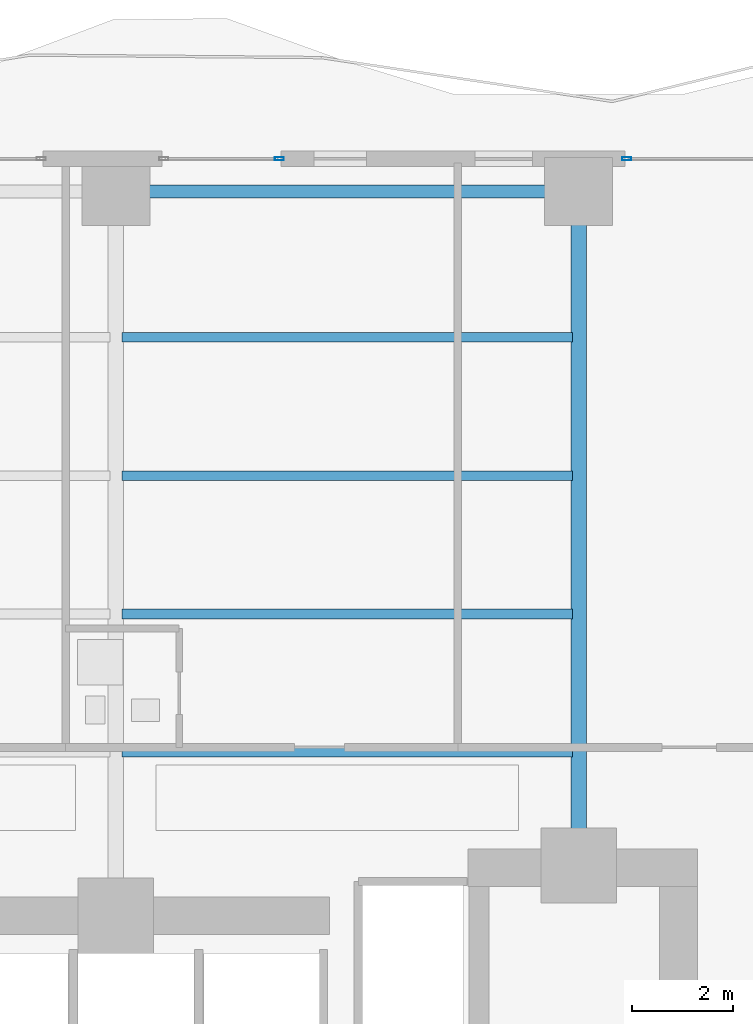
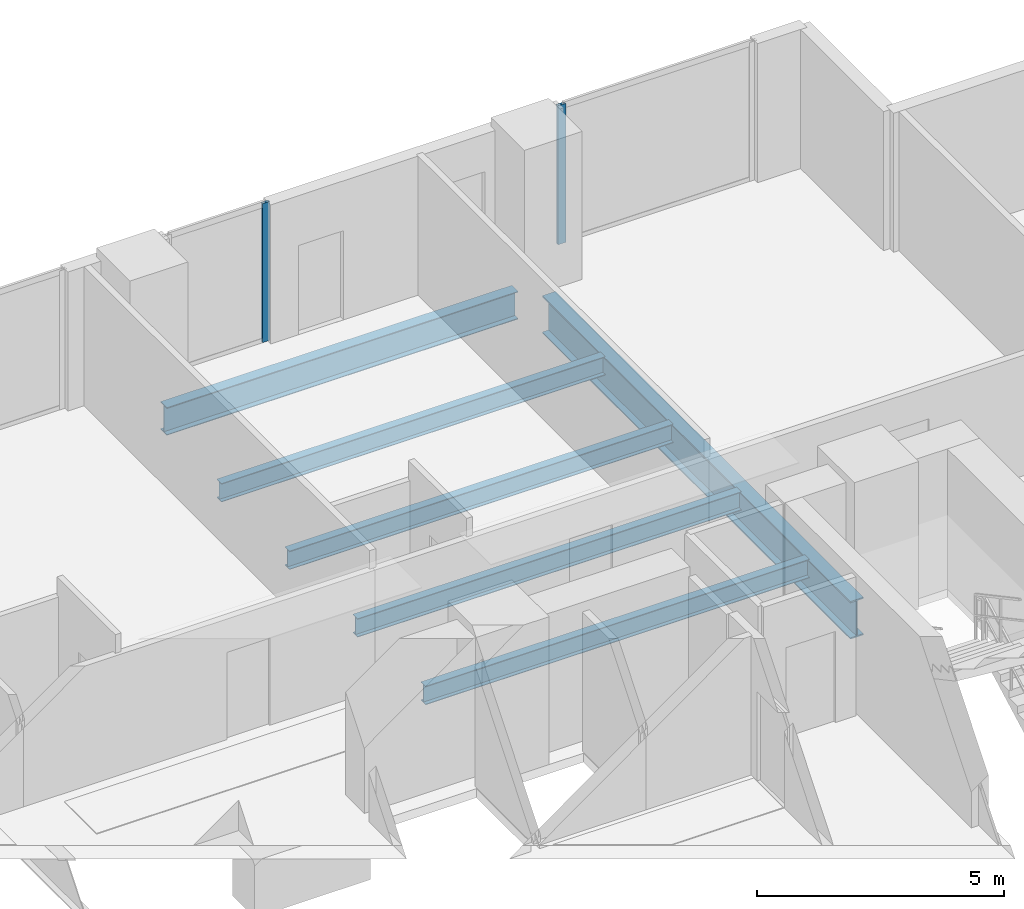
# One storey, part 17 of 27: 6 beams, 2 members, 2 elements without a shape of their own.
"""IFC4 building model written with IfcOpenShell, lengths in metres."""

from ifc_helpers import new_model, si_unit, direction, frame, origin, origin_2d, place, context, subcontext, project, spatial, hollow_rectangle, i_section, extrude, material, layer, layer_set, material_profile, profile_set, type_object, element, aggregate, save


model = new_model("IFC4")

# Units and contexts
model_context = context("Model", 3, precision=1e-05, world=origin(), true_north=direction((0.0, 1.0)))
body_context = subcontext(model_context, "Body", "Model", "MODEL_VIEW")
ifc_project = project(units=[si_unit("LENGTHUNIT", "METRE"), si_unit("AREAUNIT", "SQUARE_METRE"), si_unit("VOLUMEUNIT", "CUBIC_METRE"), si_unit("PLANEANGLEUNIT", "RADIAN"), si_unit("MASSUNIT", "GRAM", prefix="KILO")], contexts=[model_context])

# Site, building, storey
site_placement = place(None, origin())
site = spatial("IfcSite", under=ifc_project, at=site_placement, CompositionType="ELEMENT")
building_placement = place(site_placement, origin())
building = spatial("IfcBuilding", under=site, at=building_placement, Name="Zuhayl Quay Hotel", CompositionType="ELEMENT")
storey_placement = place(building_placement, frame((0.0, 0.0, 124.85009765625)))
storey = spatial("IfcBuildingStorey", under=building, at=storey_placement, Name="L31", CompositionType="ELEMENT", Elevation=124.85009765625)

# Beams
ifc_material_1 = material(Name="Steel ASTM A992 Grade 50", Category="steel")
ifc_material_profile_1 = material_profile(ifc_material_1, i_section(OverallWidth=0.25390625, OverallDepth=0.68310546875, WebThickness=0.012451171875, FlangeThickness=0.018798828125, at=origin_2d()), Name="W27X94")
ifc_profile_set_1 = profile_set([ifc_material_profile_1], Name="Steel ASTM A992 Grade 50")
beam_type_1 = type_object("IfcBeamType", Name="BM_B2_W27X94", PredefinedType="BEAM", material=ifc_profile_set_1)
beam_1_placement = place(storey_placement, frame((13.300048828125, 27.75, -0.5615234375), z_axis=(-1.0, 0.0, 0.0), x_axis=(0.0, -1.0, 0.0)))
element("IfcBeam", 1, at=beam_1_placement, inside=storey, type_object=beam_type_1, Name="L31 Floor Beam RG_L31_07", PredefinedType="BEAM", context=body_context, shape_type="SweptSolid", body=[
    extrude(i_section(OverallWidth=0.25390625, OverallDepth=0.68310546875, WebThickness=0.012451171875, FlangeThickness=0.018798828125, at=origin_2d()), origin(), (0.0, 0.0, 1.0), 8.199951171875),
])
ifc_material_profile_2 = material_profile(ifc_material_1, i_section(OverallWidth=0.18994140625, OverallDepth=0.45703125, WebThickness=0.009033203125, FlangeThickness=0.014404296875, at=origin_2d()), Name="W18X50")
ifc_profile_set_2 = profile_set([ifc_material_profile_2], Name="Steel ASTM A992 Grade 50")
beam_type_2 = type_object("IfcBeamType", Name="BM_J2_W18X50", PredefinedType="JOIST", material=ifc_profile_set_2)
for number, where, z_axis, x_axis, name in (
    (2, (4.718994140625, 16.60009765625, -0.448486328125), (1.0, 0.0, 0.0), (0.0, 1.0, 0.0), "L31 Floor Beam FJ_L31_1_3"),
    (3, (4.718994140625, 19.35009765625, -0.448486328125), (1.0, 0.0, 0.0), (0.0, 1.0, 0.0), "L31 Floor Beam FJ_L31_2_3"),
    (4, (4.718994140625, 22.10009765625, -0.448486328125), (1.0, 0.0, 0.0), (0.0, 1.0, 0.0), "L31 Floor Beam FJ_L31_3_3"),
    (5, (4.718994140625, 24.85009765625, -0.448486328125), (1.0, 0.0, 0.0), (0.0, 1.0, 0.0), "L31 Floor Beam FJ_L31_4_3"),
):
    element("IfcBeam", number, at=place(storey_placement, frame(where, z_axis=z_axis, x_axis=x_axis)), inside=storey, type_object=beam_type_2, Name=name, PredefinedType="JOIST", context=body_context, shape_type="SweptSolid", body=[
        extrude(i_section(OverallWidth=0.18994140625, OverallDepth=0.45703125, WebThickness=0.009033203125, FlangeThickness=0.014404296875, at=origin_2d()), origin(), (0.0, 0.0, 1.0), 8.9619140625),
    ])
ifc_material_profile_3 = material_profile(ifc_material_1, i_section(OverallWidth=0.306884765625, OverallDepth=0.927001953125, WebThickness=0.019287109375, FlangeThickness=0.031982421875, at=origin_2d()), Name="W36X194")
ifc_profile_set_3 = profile_set([ifc_material_profile_3], Name="Steel ASTM A992 Grade 50")
beam_type_3 = type_object("IfcBeamType", Name="BM_PG2_W36X194", PredefinedType="BEAM", material=ifc_profile_set_3)
beam_2_placement = place(storey_placement, frame((13.800048828125, 14.800048828125, -0.68359375), z_axis=(0.0, 1.0, 0.0), x_axis=(-1.0, 0.0, 0.0)))
element("IfcBeam", 6, at=beam_2_placement, inside=storey, type_object=beam_type_3, Name="L31 Floor Beam FG_N_L31_4", PredefinedType="BEAM", context=body_context, shape_type="SweptSolid", body=[
    extrude(i_section(OverallWidth=0.306884765625, OverallDepth=0.927001953125, WebThickness=0.019287109375, FlangeThickness=0.031982421875, at=origin_2d()), origin(), (0.0, 0.0, 1.0), 12.449951171875),
])

# Curtain wall, member
ifc_material_2 = material(Name="Anodised Aluminium 6063-T6", Category="aluminium")
ifc_layer = layer(ifc_material_2, 0.179931640625, Name="Anodised Aluminium 6063-T6", Category="aluminium")
ifc_layer_set = layer_set([ifc_layer], Name="Anodised Aluminium 6063-T6")
curtain_wall_type = type_object("IfcCurtainWallType", Name="CW_SYS_Z2", PredefinedType="USERDEFINED", material=ifc_layer_set)
curtain_wall_1_placement = place(storey_placement, origin())
curtain_wall_1 = element("IfcCurtainWall", 7, at=curtain_wall_1_placement, inside=storey, type_object=curtain_wall_type, Name="L31 Curtain Wall ENV_L31_N_CW3", ObjectType="UNITISED CURTAIN WALL", PredefinedType="USERDEFINED")
ifc_material_3 = material(Name="Black-anodised aluminium 6063-T6", Category="aluminium")
ifc_material_profile_4 = material_profile(ifc_material_3, hollow_rectangle(XDim=0.06494140625, YDim=0.179931640625, WallThickness=0.00341796875, at=origin_2d()), Name="ALU180X65")
ifc_profile_set_4 = profile_set([ifc_material_profile_4], Name="Black-anodised aluminium 6063-T6")
member_type = type_object("IfcMemberType", Name="MB_CW_MUL_180", PredefinedType="MULLION", material=ifc_profile_set_4)
member_1_placement = place(storey_placement, frame((7.8525390625, 28.39990234375, 0.0), z_axis=(0.0, 0.0, 1.0), x_axis=(0.0, 1.0, 0.0)))
member_1 = element("IfcMember", 8, at=member_1_placement, type_object=member_type, Name="CW-Z2 mullion 2", PredefinedType="MULLION", context=body_context, shape_type="SweptSolid", body=[
    extrude(hollow_rectangle(XDim=0.06494140625, YDim=0.179931640625, WallThickness=0.00341796875, at=origin_2d()), origin(), (0.0, 0.0, 1.0), 3.429931640625),
])
aggregate(curtain_wall_1, [member_1])

curtain_wall_2_placement = place(storey_placement, origin())
curtain_wall_2 = element("IfcCurtainWall", 9, at=curtain_wall_2_placement, inside=storey, type_object=curtain_wall_type, Name="L31 Curtain Wall ENV_L31_N_CW4", ObjectType="UNITISED CURTAIN WALL", PredefinedType="USERDEFINED")
member_2_placement = place(storey_placement, frame((14.75244140625, 28.39990234375, 0.0), z_axis=(0.0, 0.0, 1.0), x_axis=(0.0, 1.0, 0.0)))
member_2 = element("IfcMember", 10, at=member_2_placement, type_object=member_type, Name="CW-Z2 mullion 1", PredefinedType="MULLION", context=body_context, shape_type="SweptSolid", body=[
    extrude(hollow_rectangle(XDim=0.06494140625, YDim=0.179931640625, WallThickness=0.00341796875, at=origin_2d()), origin(), (0.0, 0.0, 1.0), 3.429931640625),
])
aggregate(curtain_wall_2, [member_2])

save(model, "model.ifc")
